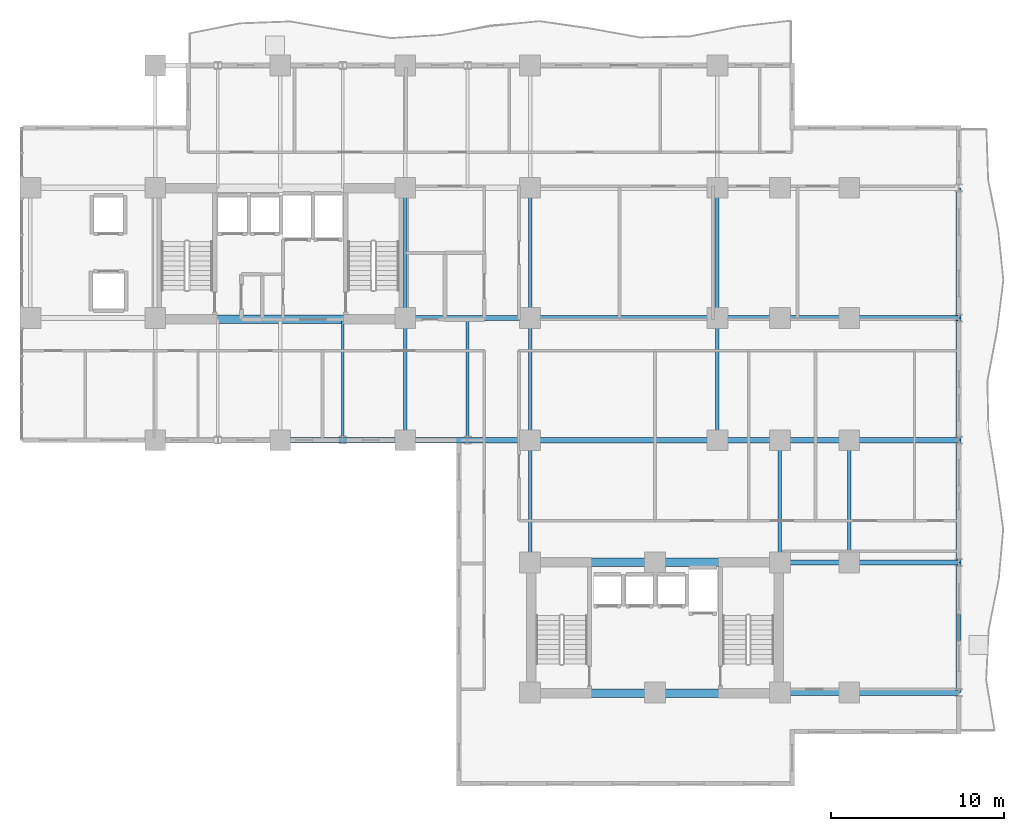
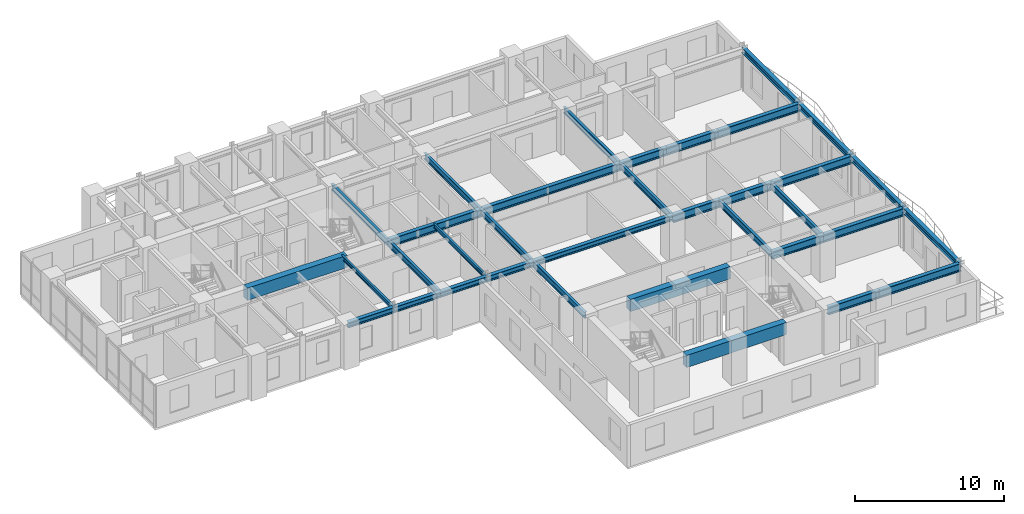
# One storey, part 5 of 17: 35 beams.
"""IFC4 building model written with IfcOpenShell, lengths in metres."""

from ifc_helpers import new_model, si_unit, direction, frame, origin, origin_2d, place, context, subcontext, project, spatial, rectangle, i_section, extrude, source, transform, mapped, material, material_profile, profile_set, type_object, element, save


model = new_model("IFC4")

# Units and contexts
model_context = context("Model", 3, precision=1e-05, world=origin(), true_north=direction((0.0, 1.0)))
body_context = subcontext(model_context, "Body", "Model", "MODEL_VIEW")
ifc_project = project(units=[si_unit("LENGTHUNIT", "METRE"), si_unit("AREAUNIT", "SQUARE_METRE"), si_unit("VOLUMEUNIT", "CUBIC_METRE"), si_unit("PLANEANGLEUNIT", "RADIAN"), si_unit("MASSUNIT", "GRAM", prefix="KILO")], contexts=[model_context])

# Site, building, storey
site_placement = place(None, origin())
site = spatial("IfcSite", under=ifc_project, at=site_placement, CompositionType="ELEMENT")
building_placement = place(site_placement, origin())
building = spatial("IfcBuilding", under=site, at=building_placement, Name="Kaliganga Portal Commons", CompositionType="ELEMENT")
storey_placement = place(building_placement, frame((0.0, 0.0, 108.199951171875)))
storey = spatial("IfcBuildingStorey", under=building, at=storey_placement, Name="L27", CompositionType="ELEMENT", Elevation=108.199951171875)

# Beams
ifc_material_1 = material(Name="Concrete C50/60", Category="concrete")
ifc_material_profile_1 = material_profile(ifc_material_1, rectangle(XDim=0.5, YDim=1.0, at=origin_2d()), Name="RC 500x1000")
ifc_profile_set_1 = profile_set([ifc_material_profile_1], Name="Concrete C50/60")
beam_type_1 = type_object("IfcBeamType", Name="BM-CPL-1000", PredefinedType="LINTEL", material=ifc_profile_set_1)
shared_shape_1 = source(origin(), body_context, "Body", "SweptSolid", [
    extrude(rectangle(XDim=0.5, YDim=1.0, at=origin_2d()), origin(), (0.0, 0.0, 1.0), 7.739990234375),
])
for number, where, z_axis, x_axis, name in (
    (1, (17.72998046875, 28.574951171875, 2.949951171875), (1.0, 0.0, 0.0), (0.0, 1.0, 0.0), "BM CPL COREA L27 S"),
    (2, (39.330078125, 7.02490234375, 2.949951171875), (1.0, 0.0, 0.0), (0.0, 1.0, 0.0), "BM CPL COREB L27 S"),
    (3, (39.330078125, 14.574951171875, 2.949951171875), (1.0, 0.0, 0.0), (0.0, 1.0, 0.0), "BM CPL COREB L27 N"),
):
    element("IfcBeam", number, at=place(storey_placement, frame(where, z_axis=z_axis, x_axis=x_axis)), inside=storey, type_object=beam_type_1, Name=name, PredefinedType="LINTEL", context=body_context, shape_type="MappedRepresentation", body=[
        mapped(shared_shape_1, transform((0.0, 0.0, 0.0), x_axis=(1.0, 0.0, 0.0), y_axis=(0.0, 1.0, 0.0), z_axis=(0.0, 0.0, 1.0), scale=1.0)),
    ])
ifc_material_2 = material(Name="Structural steel S355J2", Category="steel")
ifc_material_profile_2 = material_profile(ifc_material_2, i_section(OverallWidth=0.300048828125, OverallDepth=0.64990234375, WebThickness=0.01611328125, FlangeThickness=0.031005859375, FilletRadius=0.027099609375, at=origin_2d()), Name="HE 650 B")
ifc_profile_set_2 = profile_set([ifc_material_profile_2], Name="Structural steel S355J2 wide-flange")
beam_type_2 = type_object("IfcBeamType", Name="BM-GIRD-650", PredefinedType="USERDEFINED", material=ifc_profile_set_2)
shared_shape_2 = source(origin(), body_context, "Body", "SweptSolid", [
    extrude(i_section(OverallWidth=0.300048828125, OverallDepth=0.64990234375, WebThickness=0.01611328125, FlangeThickness=0.031005859375, FilletRadius=0.027099609375, at=origin_2d()), origin(), (0.0, 0.0, 1.0), 3.599853515625),
])
for number, where, z_axis, x_axis, name in (
    (4, (46.800048828125, 21.60009765625, 3.125), (1.0, 0.0, 0.0), (0.0, 1.0, 0.0), "BM G L27 BKE216 1"),
    (5, (46.800048828125, 28.64990234375, 3.125), (1.0, 0.0, 0.0), (0.0, 1.0, 0.0), "BM G L27 BKE286 1"),
):
    element("IfcBeam", number, at=place(storey_placement, frame(where, z_axis=z_axis, x_axis=x_axis)), inside=storey, type_object=beam_type_2, Name=name, ObjectType="GIRDER", PredefinedType="USERDEFINED", context=body_context, shape_type="MappedRepresentation", body=[
        mapped(shared_shape_2, transform((0.0, 0.0, 0.0), x_axis=(1.0, 0.0, 0.0), y_axis=(0.0, 1.0, 0.0), z_axis=(0.0, 0.0, 1.0), scale=1.0)),
    ])
shared_shape_3 = source(origin(), body_context, "Body", "SweptSolid", [
    extrude(i_section(OverallWidth=0.300048828125, OverallDepth=0.64990234375, WebThickness=0.01611328125, FlangeThickness=0.031005859375, FilletRadius=0.027099609375, at=origin_2d()), origin(), (0.0, 0.0, 1.0), 7.199951171875),
])
beam_1_placement = place(storey_placement, frame((28.800048828125, 28.64990234375, 3.125), z_axis=(1.0, 0.0, 0.0), x_axis=(0.0, 1.0, 0.0)))
element("IfcBeam", 6, at=beam_1_placement, inside=storey, type_object=beam_type_2, Name="BM G L27 WAE_S 1", ObjectType="GIRDER", PredefinedType="USERDEFINED", context=body_context, shape_type="MappedRepresentation", body=[
    mapped(shared_shape_3, transform((0.0, 0.0, 0.0), x_axis=(1.0, 0.0, 0.0), y_axis=(0.0, 1.0, 0.0), z_axis=(0.0, 0.0, 1.0), scale=1.0)),
])
shared_shape_4 = source(origin(), body_context, "Body", "SweptSolid", [
    extrude(i_section(OverallWidth=0.300048828125, OverallDepth=0.64990234375, WebThickness=0.01611328125, FlangeThickness=0.031005859375, FilletRadius=0.027099609375, at=origin_2d()), origin(), (0.0, 0.0, 1.0), 10.800048828125),
])
beam_2_placement = place(storey_placement, frame((36.0, 28.64990234375, 3.125), z_axis=(1.0, 0.0, 0.0), x_axis=(0.0, 1.0, 0.0)))
element("IfcBeam", 7, at=beam_2_placement, inside=storey, type_object=beam_type_2, Name="BM G L27 WAE_S 2", ObjectType="GIRDER", PredefinedType="USERDEFINED", context=body_context, shape_type="MappedRepresentation", body=[
    mapped(shared_shape_4, transform((0.0, 0.0, 0.0), x_axis=(1.0, 0.0, 0.0), y_axis=(0.0, 1.0, 0.0), z_axis=(0.0, 0.0, 1.0), scale=1.0)),
])
shared_shape_5 = source(origin(), body_context, "Body", "SweptSolid", [
    extrude(i_section(OverallWidth=0.300048828125, OverallDepth=0.64990234375, WebThickness=0.01611328125, FlangeThickness=0.031005859375, FilletRadius=0.027099609375, at=origin_2d()), origin(), (0.0, 0.0, 1.0), 4.0),
])
for number, where, z_axis, x_axis, name in (
    (8, (50.39990234375, 7.050048828125, 3.125), (1.0, 0.0, 0.0), (0.0, 1.0, 0.0), "BM G L27 BKE70 1"),
    (9, (50.39990234375, 14.550048828125, 3.125), (1.0, 0.0, 0.0), (0.0, 1.0, 0.0), "BM G L27 BKE146 1"),
    (10, (50.39990234375, 21.60009765625, 3.125), (1.0, 0.0, 0.0), (0.0, 1.0, 0.0), "BM G L27 BKE216 2"),
    (11, (50.39990234375, 28.64990234375, 3.125), (1.0, 0.0, 0.0), (0.0, 1.0, 0.0), "BM G L27 BKE286 2"),
):
    element("IfcBeam", number, at=place(storey_placement, frame(where, z_axis=z_axis, x_axis=x_axis)), inside=storey, type_object=beam_type_2, Name=name, ObjectType="GIRDER", PredefinedType="USERDEFINED", context=body_context, shape_type="MappedRepresentation", body=[
        mapped(shared_shape_5, transform((0.0, 0.0, 0.0), x_axis=(1.0, 0.0, 0.0), y_axis=(0.0, 1.0, 0.0), z_axis=(0.0, 0.0, 1.0), scale=1.0)),
    ])
ifc_material_profile_3 = material_profile(ifc_material_2, i_section(OverallWidth=0.199951171875, OverallDepth=0.5, WebThickness=0.01025390625, FlangeThickness=0.01611328125, FilletRadius=0.02099609375, at=origin_2d()), Name="IPE 500")
ifc_profile_set_3 = profile_set([ifc_material_profile_3], Name="Structural steel S355J2 wide-flange")
beam_type_3 = type_object("IfcBeamType", Name="BM-FLR-500", PredefinedType="BEAM", material=ifc_profile_set_3)
shared_shape_6 = source(origin(), body_context, "Body", "SweptSolid", [
    extrude(i_section(OverallWidth=0.199951171875, OverallDepth=0.5, WebThickness=0.01025390625, FlangeThickness=0.01611328125, FilletRadius=0.02099609375, at=origin_2d()), origin(), (0.0, 0.0, 1.0), 7.5),
])
for number, where, z_axis, x_axis, name in (
    (12, (28.800048828125, 28.64990234375, 3.199951171875), (0.0, 1.0, 0.0), (-1.0, 0.0, 0.0), "BM G L27 AM288"),
    (13, (36.0, 28.64990234375, 3.199951171875), (0.0, 1.0, 0.0), (-1.0, 0.0, 0.0), "BM G L27 AM360"),
    (14, (46.800048828125, 28.64990234375, 3.199951171875), (0.0, 1.0, 0.0), (-1.0, 0.0, 0.0), "BM G L27 AM468"),
):
    element("IfcBeam", number, at=place(storey_placement, frame(where, z_axis=z_axis, x_axis=x_axis)), inside=storey, type_object=beam_type_3, Name=name, PredefinedType="BEAM", context=body_context, shape_type="MappedRepresentation", body=[
        mapped(shared_shape_6, transform((0.0, 0.0, 0.0), x_axis=(1.0, 0.0, 0.0), y_axis=(0.0, 1.0, 0.0), z_axis=(0.0, 0.0, 1.0), scale=1.0)),
    ])
shared_shape_7 = source(origin(), body_context, "Body", "SweptSolid", [
    extrude(i_section(OverallWidth=0.199951171875, OverallDepth=0.5, WebThickness=0.01025390625, FlangeThickness=0.01611328125, FilletRadius=0.02099609375, at=origin_2d()), origin(), (0.0, 0.0, 1.0), 7.050048828125),
])
for number, where, z_axis, x_axis, name in (
    (15, (36.0, 14.550048828125, 3.199951171875), (0.0, 1.0, 0.0), (-1.0, 0.0, 0.0), "BM G L27 BNK360"),
    (16, (50.39990234375, 14.550048828125, 3.199951171875), (0.0, 1.0, 0.0), (-1.0, 0.0, 0.0), "BM G L27 BNK504"),
    (17, (54.39990234375, 14.550048828125, 3.199951171875), (0.0, 1.0, 0.0), (-1.0, 0.0, 0.0), "BM G L27 BNK544"),
):
    element("IfcBeam", number, at=place(storey_placement, frame(where, z_axis=z_axis, x_axis=x_axis)), inside=storey, type_object=beam_type_3, Name=name, PredefinedType="BEAM", context=body_context, shape_type="MappedRepresentation", body=[
        mapped(shared_shape_7, transform((0.0, 0.0, 0.0), x_axis=(1.0, 0.0, 0.0), y_axis=(0.0, 1.0, 0.0), z_axis=(0.0, 0.0, 1.0), scale=1.0)),
    ])
shared_shape_8 = source(origin(), body_context, "Body", "SweptSolid", [
    extrude(i_section(OverallWidth=0.199951171875, OverallDepth=0.5, WebThickness=0.01025390625, FlangeThickness=0.01611328125, FilletRadius=0.02099609375, at=origin_2d()), origin(), (0.0, 0.0, 1.0), 7.0498046875),
])
for number, where, z_axis, x_axis, name in (
    (18, (28.800048828125, 21.60009765625, 3.199951171875), (0.0, 1.0, 0.0), (-1.0, 0.0, 0.0), "BM G L27 AS288"),
    (19, (36.0, 21.60009765625, 3.199951171875), (0.0, 1.0, 0.0), (-1.0, 0.0, 0.0), "BM G L27 AS360"),
    (20, (46.800048828125, 21.60009765625, 3.199951171875), (0.0, 1.0, 0.0), (-1.0, 0.0, 0.0), "BM G L27 AS468"),
):
    element("IfcBeam", number, at=place(storey_placement, frame(where, z_axis=z_axis, x_axis=x_axis)), inside=storey, type_object=beam_type_3, Name=name, PredefinedType="BEAM", context=body_context, shape_type="MappedRepresentation", body=[
        mapped(shared_shape_8, transform((0.0, 0.0, 0.0), x_axis=(1.0, 0.0, 0.0), y_axis=(0.0, 1.0, 0.0), z_axis=(0.0, 0.0, 1.0), scale=1.0)),
    ])
shared_shape_9 = source(origin(), body_context, "Body", "SweptSolid", [
    extrude(i_section(OverallWidth=0.300048828125, OverallDepth=0.64990234375, WebThickness=0.01611328125, FlangeThickness=0.031005859375, FilletRadius=0.027099609375, at=origin_2d()), origin(), (0.0, 0.0, 1.0), 6.300048828125),
])
for number, where, z_axis, x_axis, name in (
    (21, (54.39990234375, 7.050048828125, 3.125), (1.0, 0.0, 0.0), (0.0, 1.0, 0.0), "BM G L27 BKE70 2"),
    (22, (54.39990234375, 14.550048828125, 3.125), (1.0, 0.0, 0.0), (0.0, 1.0, 0.0), "BM G L27 BKE146 2"),
    (23, (54.39990234375, 21.60009765625, 3.125), (1.0, 0.0, 0.0), (0.0, 1.0, 0.0), "BM G L27 BKE216 3"),
    (24, (54.39990234375, 28.64990234375, 3.125), (1.0, 0.0, 0.0), (0.0, 1.0, 0.0), "BM G L27 BKE286 3"),
):
    element("IfcBeam", number, at=place(storey_placement, frame(where, z_axis=z_axis, x_axis=x_axis)), inside=storey, type_object=beam_type_2, Name=name, ObjectType="GIRDER", PredefinedType="USERDEFINED", context=body_context, shape_type="MappedRepresentation", body=[
        mapped(shared_shape_9, transform((0.0, 0.0, 0.0), x_axis=(1.0, 0.0, 0.0), y_axis=(0.0, 1.0, 0.0), z_axis=(0.0, 0.0, 1.0), scale=1.0)),
    ])
ifc_material_profile_4 = material_profile(ifc_material_2, i_section(OverallWidth=0.300048828125, OverallDepth=0.449951171875, WebThickness=0.013916015625, FlangeThickness=0.02587890625, FilletRadius=0.027099609375, at=origin_2d()), Name="HE 450 B")
ifc_profile_set_4 = profile_set([ifc_material_profile_4], Name="Structural steel S355J2 wide-flange")
beam_type_4 = type_object("IfcBeamType", Name="BM-SPAND-450", PredefinedType="SPANDREL", material=ifc_profile_set_4)
shared_shape_10 = source(origin(), body_context, "Body", "SweptSolid", [
    extrude(i_section(OverallWidth=0.300048828125, OverallDepth=0.449951171875, WebThickness=0.013916015625, FlangeThickness=0.02587890625, FilletRadius=0.027099609375, at=origin_2d()), origin(), (0.0, 0.0, 1.0), 3.60009765625),
])
for number, where, z_axis, x_axis, name in (
    (25, (25.199951171875, 21.60009765625, 3.22509765625), (1.0, 0.0, 0.0), (0.0, 1.0, 0.0), "BM SP L27 AS 4"),
    (26, (32.39990234375, 21.60009765625, 3.22509765625), (1.0, 0.0, 0.0), (0.0, 1.0, 0.0), "BM SP L27 AS 6"),
):
    element("IfcBeam", number, at=place(storey_placement, frame(where, z_axis=z_axis, x_axis=x_axis)), inside=storey, type_object=beam_type_4, Name=name, PredefinedType="SPANDREL", context=body_context, shape_type="MappedRepresentation", body=[
        mapped(shared_shape_10, transform((0.0, 0.0, 0.0), x_axis=(1.0, 0.0, 0.0), y_axis=(0.0, 1.0, 0.0), z_axis=(0.0, 0.0, 1.0), scale=1.0)),
    ])
shared_shape_11 = source(origin(), body_context, "Body", "SweptSolid", [
    extrude(i_section(OverallWidth=0.300048828125, OverallDepth=0.449951171875, WebThickness=0.013916015625, FlangeThickness=0.02587890625, FilletRadius=0.027099609375, at=origin_2d()), origin(), (0.0, 0.0, 1.0), 3.599853515625),
])
for number, where, z_axis, x_axis, name in (
    (27, (21.60009765625, 21.60009765625, 3.22509765625), (1.0, 0.0, 0.0), (0.0, 1.0, 0.0), "BM SP L27 AS 3"),
    (28, (28.800048828125, 21.60009765625, 3.22509765625), (1.0, 0.0, 0.0), (0.0, 1.0, 0.0), "BM SP L27 AS 5"),
):
    element("IfcBeam", number, at=place(storey_placement, frame(where, z_axis=z_axis, x_axis=x_axis)), inside=storey, type_object=beam_type_4, Name=name, PredefinedType="SPANDREL", context=body_context, shape_type="MappedRepresentation", body=[
        mapped(shared_shape_11, transform((0.0, 0.0, 0.0), x_axis=(1.0, 0.0, 0.0), y_axis=(0.0, 1.0, 0.0), z_axis=(0.0, 0.0, 1.0), scale=1.0)),
    ])
shared_shape_12 = source(origin(), body_context, "Body", "SweptSolid", [
    extrude(i_section(OverallWidth=0.300048828125, OverallDepth=0.449951171875, WebThickness=0.013916015625, FlangeThickness=0.02587890625, FilletRadius=0.027099609375, at=origin_2d()), origin(), (0.0, 0.0, 1.0), 10.800048828125),
])
beam_3_placement = place(storey_placement, frame((36.0, 21.60009765625, 3.22509765625), z_axis=(1.0, 0.0, 0.0), x_axis=(0.0, 1.0, 0.0)))
element("IfcBeam", 29, at=beam_3_placement, inside=storey, type_object=beam_type_4, Name="BM SP L27 AS 7", PredefinedType="SPANDREL", context=body_context, shape_type="MappedRepresentation", body=[
    mapped(shared_shape_12, transform((0.0, 0.0, 0.0), x_axis=(1.0, 0.0, 0.0), y_axis=(0.0, 1.0, 0.0), z_axis=(0.0, 0.0, 1.0), scale=1.0)),
])
ifc_material_profile_5 = material_profile(ifc_material_2, i_section(OverallWidth=0.159912109375, OverallDepth=0.330078125, WebThickness=0.007568359375, FlangeThickness=0.011474609375, FilletRadius=0.01806640625, at=origin_2d()), Name="IPE 330")
ifc_profile_set_5 = profile_set([ifc_material_profile_5], Name="Structural steel S355J2 wide-flange")
beam_type_5 = type_object("IfcBeamType", Name="BM-JST-330", PredefinedType="JOIST", material=ifc_profile_set_5)
shared_shape_13 = source(origin(), body_context, "Body", "SweptSolid", [
    extrude(i_section(OverallWidth=0.159912109375, OverallDepth=0.330078125, WebThickness=0.007568359375, FlangeThickness=0.011474609375, FilletRadius=0.01806640625, at=origin_2d()), origin(), (0.0, 0.0, 1.0), 6.974853515625),
])
beam_4_placement = place(storey_placement, frame((25.199951171875, 21.60009765625, 3.28515625), z_axis=(0.0, 1.0, 0.0), x_axis=(-1.0, 0.0, 0.0)))
element("IfcBeam", 30, at=beam_4_placement, inside=storey, type_object=beam_type_5, Name="BM G L27 AS252", PredefinedType="JOIST", context=body_context, shape_type="MappedRepresentation", body=[
    mapped(shared_shape_13, transform((0.0, 0.0, 0.0), x_axis=(1.0, 0.0, 0.0), y_axis=(0.0, 1.0, 0.0), z_axis=(0.0, 0.0, 1.0), scale=1.0)),
])
shared_shape_14 = source(origin(), body_context, "Body", "SweptSolid", [
    extrude(i_section(OverallWidth=0.159912109375, OverallDepth=0.330078125, WebThickness=0.007568359375, FlangeThickness=0.011474609375, FilletRadius=0.01806640625, at=origin_2d()), origin(), (0.0, 0.0, 1.0), 7.0498046875),
])
beam_5_placement = place(storey_placement, frame((32.39990234375, 21.60009765625, 3.28515625), z_axis=(0.0, 1.0, 0.0), x_axis=(-1.0, 0.0, 0.0)))
element("IfcBeam", 31, at=beam_5_placement, inside=storey, type_object=beam_type_5, Name="BM G L27 AS324", PredefinedType="JOIST", context=body_context, shape_type="MappedRepresentation", body=[
    mapped(shared_shape_14, transform((0.0, 0.0, 0.0), x_axis=(1.0, 0.0, 0.0), y_axis=(0.0, 1.0, 0.0), z_axis=(0.0, 0.0, 1.0), scale=1.0)),
])
shared_shape_15 = source(origin(), body_context, "Body", "SweptSolid", [
    extrude(i_section(OverallWidth=0.300048828125, OverallDepth=0.449951171875, WebThickness=0.013916015625, FlangeThickness=0.02587890625, FilletRadius=0.027099609375, at=origin_2d()), origin(), (0.0, 0.0, 1.0), 7.5),
])
for number, where, z_axis, x_axis, name in (
    (32, (60.699951171875, 7.050048828125, 3.22509765625), (0.0, 1.0, 0.0), (-1.0, 0.0, 0.0), "BM SP L27 BE 1"),
    (33, (60.699951171875, 28.64990234375, 3.22509765625), (0.0, 1.0, 0.0), (-1.0, 0.0, 0.0), "BM SP L27 BE 4"),
):
    element("IfcBeam", number, at=place(storey_placement, frame(where, z_axis=z_axis, x_axis=x_axis)), inside=storey, type_object=beam_type_4, Name=name, PredefinedType="SPANDREL", context=body_context, shape_type="MappedRepresentation", body=[
        mapped(shared_shape_15, transform((0.0, 0.0, 0.0), x_axis=(1.0, 0.0, 0.0), y_axis=(0.0, 1.0, 0.0), z_axis=(0.0, 0.0, 1.0), scale=1.0)),
    ])
shared_shape_16 = source(origin(), body_context, "Body", "SweptSolid", [
    extrude(i_section(OverallWidth=0.300048828125, OverallDepth=0.449951171875, WebThickness=0.013916015625, FlangeThickness=0.02587890625, FilletRadius=0.027099609375, at=origin_2d()), origin(), (0.0, 0.0, 1.0), 7.050048828125),
])
beam_6_placement = place(storey_placement, frame((60.699951171875, 14.550048828125, 3.22509765625), z_axis=(0.0, 1.0, 0.0), x_axis=(-1.0, 0.0, 0.0)))
element("IfcBeam", 34, at=beam_6_placement, inside=storey, type_object=beam_type_4, Name="BM SP L27 BE 2", PredefinedType="SPANDREL", context=body_context, shape_type="MappedRepresentation", body=[
    mapped(shared_shape_16, transform((0.0, 0.0, 0.0), x_axis=(1.0, 0.0, 0.0), y_axis=(0.0, 1.0, 0.0), z_axis=(0.0, 0.0, 1.0), scale=1.0)),
])
shared_shape_17 = source(origin(), body_context, "Body", "SweptSolid", [
    extrude(i_section(OverallWidth=0.300048828125, OverallDepth=0.449951171875, WebThickness=0.013916015625, FlangeThickness=0.02587890625, FilletRadius=0.027099609375, at=origin_2d()), origin(), (0.0, 0.0, 1.0), 7.0498046875),
])
beam_7_placement = place(storey_placement, frame((60.699951171875, 21.60009765625, 3.22509765625), z_axis=(0.0, 1.0, 0.0), x_axis=(-1.0, 0.0, 0.0)))
element("IfcBeam", 35, at=beam_7_placement, inside=storey, type_object=beam_type_4, Name="BM SP L27 BE 3", PredefinedType="SPANDREL", context=body_context, shape_type="MappedRepresentation", body=[
    mapped(shared_shape_17, transform((0.0, 0.0, 0.0), x_axis=(1.0, 0.0, 0.0), y_axis=(0.0, 1.0, 0.0), z_axis=(0.0, 0.0, 1.0), scale=1.0)),
])

save(model, "model.ifc")
